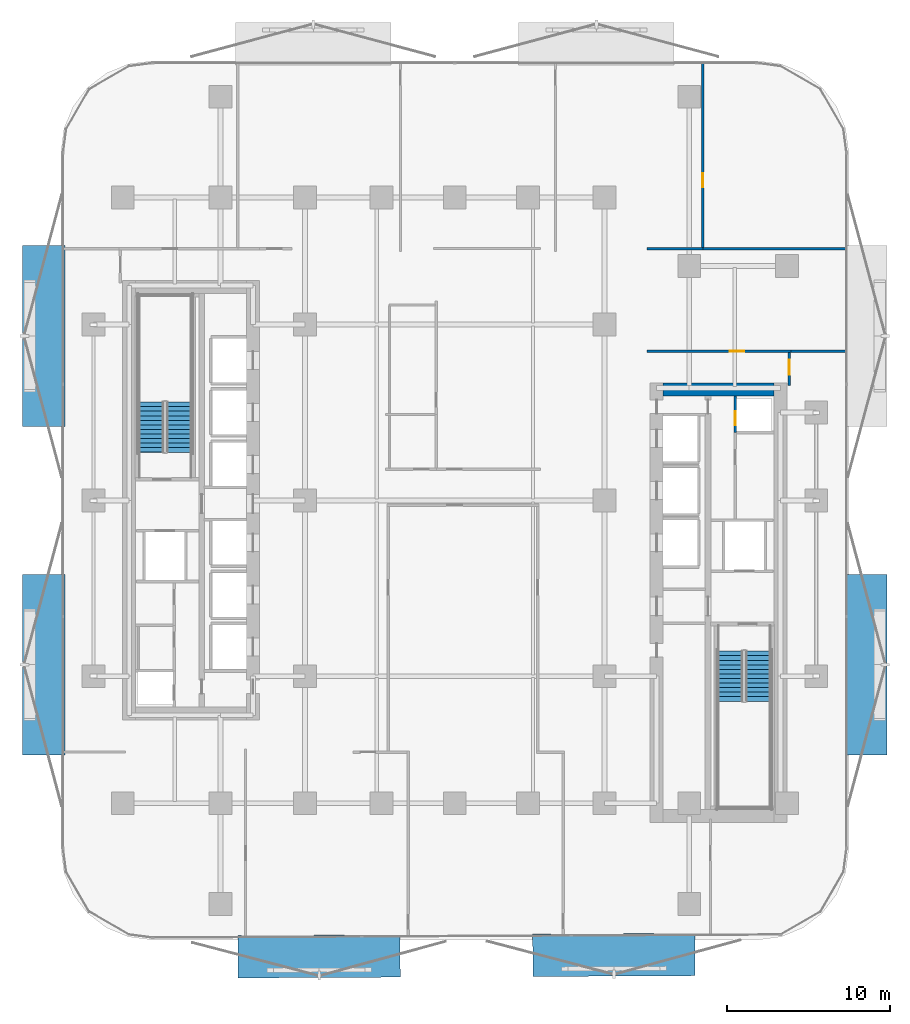
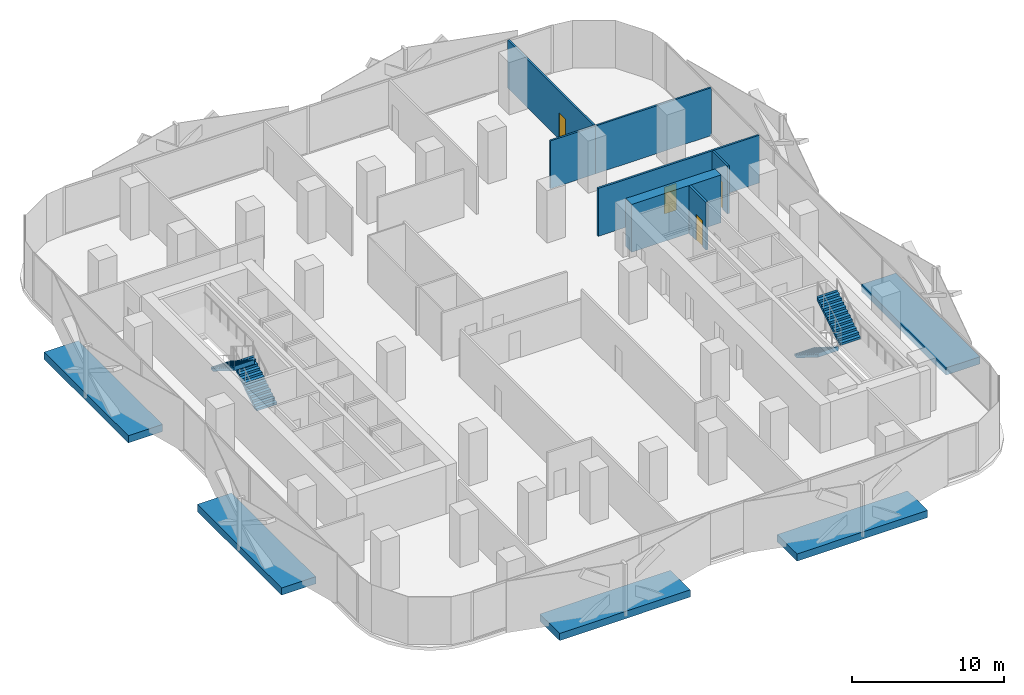
# One storey, part 6 of 16: 8 walls, 5 discrete accessories, 4 doors, 4 stair flights, 4 openings, 2 elements without a shape of their own.
"""IFC4 building model written with IfcOpenShell, lengths in metres."""

from ifc_helpers import new_model, si_unit, direction, frame, frame_2d, origin, origin_2d, place, context, subcontext, project, spatial, polyline, rectangle, outline, extrude, material, layer, layer_set, type_object, element, fill, aggregate, save


model = new_model("IFC4")

# Units and contexts
model_context = context("Model", 3, precision=1e-05, world=origin(), true_north=direction((0.0, 1.0)))
body_context = subcontext(model_context, "Body", "Model", "MODEL_VIEW")
ifc_project = project(units=[si_unit("LENGTHUNIT", "METRE"), si_unit("AREAUNIT", "SQUARE_METRE"), si_unit("VOLUMEUNIT", "CUBIC_METRE"), si_unit("PLANEANGLEUNIT", "RADIAN"), si_unit("MASSUNIT", "GRAM", prefix="KILO")], contexts=[model_context])

# Site, building, storey
site_placement = place(None, origin())
site = spatial("IfcSite", under=ifc_project, at=site_placement, CompositionType="ELEMENT")
building_placement = place(site_placement, origin())
building = spatial("IfcBuilding", under=site, at=building_placement, Name="Khairoan Windgate Tower", CompositionType="ELEMENT")
storey_placement = place(building_placement, frame((0.0, 0.0, 80.60009765625)))
storey = spatial("IfcBuildingStorey", under=building, at=storey_placement, Name="L19", CompositionType="ELEMENT", Elevation=80.60009765625)

# Walls
ifc_material_1 = material(Name="Acoustic Fire-Rated Gypsum Partition", Category="gypsum")
ifc_layer_1 = layer(ifc_material_1, 0.139892578125, Name="Acoustic Fire-Rated Gypsum Partition")
ifc_layer_set_1 = layer_set([ifc_layer_1], Name="Acoustic Fire-Rated Gypsum Partition")
wall_type_1 = type_object("IfcWallType", Name="Inter-Tenancy Compartment Wall", PredefinedType="PARTITIONING", material=ifc_layer_set_1)
wall_1_placement = place(storey_placement, frame((20.639892578125, 9.159912109375, 0.0), z_axis=(0.0, 0.0, 1.0), x_axis=(1.0, 0.0, 0.0)))
element("IfcWall", 1, at=wall_1_placement, inside=storey, type_object=wall_type_1, Name="L19 Interior Partition 024", PredefinedType="PARTITIONING", context=body_context, shape_type="SweptSolid", body=[
    extrude(rectangle(XDim=3.4150390625, YDim=0.139892578125, at=frame_2d((1.70751953125, 0.0))), origin(), (0.0, 0.0, 1.0), 3.849853515625),
])
wall_2_placement = place(storey_placement, frame((11.81005859375, 15.4599609375, 0.0), z_axis=(0.0, 0.0, 1.0), x_axis=(1.0, 0.0, 0.0)))
element("IfcWall", 2, at=wall_2_placement, inside=storey, type_object=wall_type_1, Name="L19 Interior Partition 025", PredefinedType="PARTITIONING", context=body_context, shape_type="SweptSolid", body=[
    extrude(rectangle(XDim=3.421875, YDim=0.139892578125, at=frame_2d((1.7109375, 0.0))), origin(), (0.0, 0.0, 1.0), 3.849853515625),
])
wall_3_placement = place(storey_placement, frame((15.23193359375, 15.4599609375, 0.0), z_axis=(0.0, 0.0, 1.0), x_axis=(1.0, 0.0, 0.0)))
element("IfcWall", 3, at=wall_3_placement, inside=storey, type_object=wall_type_1, Name="L19 Interior Partition 026", PredefinedType="PARTITIONING", context=body_context, shape_type="SweptSolid", body=[
    extrude(rectangle(XDim=8.822998046875, YDim=0.139892578125, at=frame_2d((4.41162109375, 0.0))), origin(), (0.0, 0.0, 1.0), 3.849853515625),
])

# Wall, opening, door
wall_4_placement = place(storey_placement, frame((15.23193359375, 15.530029296875, 0.0), z_axis=(0.0, 0.0, 1.0), x_axis=(0.0, 1.0, 0.0)))
wall_4 = element("IfcWall", 4, at=wall_4_placement, inside=storey, type_object=wall_type_1, Name="L19 Interior Partition 031", PredefinedType="PARTITIONING", context=body_context, shape_type="SweptSolid", body=[
    extrude(rectangle(XDim=11.324951171875, YDim=0.139892578125, at=frame_2d((5.66259765625, 0.0))), origin(), (0.0, 0.0, 1.0), 3.849853515625),
])
opening_1_placement = place(wall_4_placement, frame((3.712890625, 0.0, 0.0)))
opening_1 = element("IfcOpeningElement", 5, at=opening_1_placement, cuts=wall_4, Name="Opening FD-SRV", PredefinedType="OPENING", context=body_context, shape_type="SweptSolid", body=[
    extrude(rectangle(XDim=0.85009765625, YDim=2.10009765625, at=frame_2d((0.425048828125, 1.050048828125))), frame((0.0, 0.079833984375, 0.0), z_axis=(0.0, -1.0, 0.0), x_axis=(1.0, 0.0, 0.0)), (0.0, 0.0, 1.0), 0.159912109375),
])
ifc_material_2 = material(Name="Steel S355", Category="steel")
door_type_1 = type_object("IfcDoorType", Name="Core Service and Riser Fire Door FD-SRV 850x2100", OperationType="NOTDEFINED", PredefinedType="DOOR", material=ifc_material_2)
door_1_placement = place(opening_1_placement, origin())
door_1 = element("IfcDoor", 6, at=door_1_placement, inside=storey, type_object=door_type_1, Name="L19 L19-41-L19-42 Door", OperationType="SINGLE_SWING_RIGHT", OverallHeight=2.10009765625, OverallWidth=0.85009765625, PredefinedType="DOOR", context=body_context, shape_type="SweptSolid", body=[
    extrude(rectangle(XDim=0.85009765625, YDim=2.10009765625, at=frame_2d((0.425048828125, 1.050048828125))), frame((0.0, 0.02490234375, 0.0), z_axis=(0.0, -1.0, 0.0), x_axis=(1.0, 0.0, 0.0)), (0.0, 0.0, 1.0), 0.050048828125),
])
fill(opening_1, door_1)

ifc_material_3 = material(Name="Concrete C40/50", Category="concrete")
ifc_layer_2 = layer(ifc_material_3, 0.159912109375, Name="Concrete C40/50")
ifc_layer_set_2 = layer_set([ifc_layer_2], Name="Concrete C40/50")
wall_type_2 = type_object("IfcWallType", Name="Plant and Refuge Compartment Wall", PredefinedType="PARTITIONING", material=ifc_layer_set_2)
wall_5_placement = place(storey_placement, frame((17.22998046875, 4.169921875, 0.0), z_axis=(0.0, 0.0, 1.0), x_axis=(0.0, 1.0, 0.0)))
wall_5 = element("IfcWall", 7, at=wall_5_placement, inside=storey, type_object=wall_type_2, Name="L19 Interior Partition 006", PredefinedType="PARTITIONING", context=body_context, shape_type="SweptSolid", body=[
    extrude(rectangle(XDim=2.22998046875, YDim=0.159912109375, at=frame_2d((1.114990234375, 0.0))), origin(), (0.0, 0.0, 1.0), 3.849853515625),
])
opening_2_placement = place(wall_5_placement, frame((0.4599609375, 0.0, 0.0)))
opening_2 = element("IfcOpeningElement", 8, at=opening_2_placement, cuts=wall_5, Name="Opening FD-SRV", PredefinedType="OPENING", context=body_context, shape_type="SweptSolid", body=[
    extrude(rectangle(XDim=0.85009765625, YDim=2.10009765625, at=frame_2d((0.425048828125, 1.050048828125))), frame((0.0, 0.08984375, 0.0), z_axis=(0.0, -1.0, 0.0), x_axis=(1.0, 0.0, 0.0)), (0.0, 0.0, 1.0), 0.179931640625),
])
door_2_placement = place(opening_2_placement, origin())
door_2 = element("IfcDoor", 9, at=door_2_placement, inside=storey, type_object=door_type_1, Name="L19 L19-19-L19-20 Door", OperationType="SINGLE_SWING_LEFT", OverallHeight=2.10009765625, OverallWidth=0.85009765625, PredefinedType="DOOR", context=body_context, shape_type="SweptSolid", body=[
    extrude(rectangle(XDim=0.85009765625, YDim=2.10009765625, at=frame_2d((0.425048828125, 1.050048828125))), frame((0.0, 0.02490234375, 0.0), z_axis=(0.0, -1.0, 0.0), x_axis=(1.0, 0.0, 0.0)), (0.0, 0.0, 1.0), 0.050048828125),
])
fill(opening_2, door_2)

ifc_material_4 = material(Name="Acoustic Fire-Rated Gypsum Partition", Category="gypsum")
ifc_layer_3 = layer(ifc_material_4, 0.14990234375, Name="Acoustic Fire-Rated Gypsum Partition")
ifc_layer_set_3 = layer_set([ifc_layer_3], Name="Acoustic Fire-Rated Gypsum Partition")
wall_type_3 = type_object("IfcWallType", Name="Rated Corridor Partition Wall", PredefinedType="PARTITIONING", material=ifc_layer_set_3)
wall_6_placement = place(storey_placement, frame((20.5400390625, 7.06005859375, 0.0), z_axis=(0.0, 0.0, 1.0), x_axis=(0.0, 1.0, 0.0)))
wall_6 = element("IfcWall", 10, at=wall_6_placement, inside=storey, type_object=wall_type_3, Name="L19 Interior Partition 020", PredefinedType="PARTITIONING", context=body_context, shape_type="SweptSolid", body=[
    extrude(rectangle(XDim=2.02490234375, YDim=0.14990234375, at=frame_2d((1.012451171875, 0.0))), origin(), (0.0, 0.0, 1.0), 3.849853515625),
])
opening_3_placement = place(wall_6_placement, frame((0.6650390625, 0.0, 0.0)))
opening_3 = element("IfcOpeningElement", 11, at=opening_3_placement, cuts=wall_6, Name="Opening FD-ENT", PredefinedType="OPENING", context=body_context, shape_type="SweptSolid", body=[
    extrude(rectangle(XDim=0.89990234375, YDim=2.14990234375, at=frame_2d((0.449951171875, 1.074951171875))), frame((0.0, 0.0849609375, 0.0), z_axis=(0.0, -1.0, 0.0), x_axis=(1.0, 0.0, 0.0)), (0.0, 0.0, 1.0), 0.169921875),
])
ifc_material_5 = material(Name="Timber Fire-Rated Core", Category="wood")
door_type_2 = type_object("IfcDoorType", Name="Unit and Office Fire Entrance Door FD-ENT 900x2150", OperationType="NOTDEFINED", PredefinedType="DOOR", material=ifc_material_5)
door_3_placement = place(opening_3_placement, origin())
door_3 = element("IfcDoor", 12, at=door_3_placement, inside=storey, type_object=door_type_2, Name="L19 L19-34-L19-36 Door", OperationType="SINGLE_SWING_RIGHT", OverallHeight=2.14990234375, OverallWidth=0.89990234375, PredefinedType="DOOR", context=body_context, shape_type="SweptSolid", body=[
    extrude(rectangle(XDim=0.89990234375, YDim=2.14990234375, at=frame_2d((0.449951171875, 1.074951171875))), frame((0.0, 0.02490234375, 0.0), z_axis=(0.0, -1.0, 0.0), x_axis=(1.0, 0.0, 0.0)), (0.0, 0.0, 1.0), 0.050048828125),
])
fill(opening_3, door_3)

wall_7_placement = place(storey_placement, frame((11.81005859375, 9.159912109375, 0.0), z_axis=(0.0, 0.0, 1.0), x_axis=(1.0, 0.0, 0.0)))
wall_7 = element("IfcWall", 13, at=wall_7_placement, inside=storey, type_object=wall_type_3, Name="L19 Interior Partition 021", PredefinedType="PARTITIONING", context=body_context, shape_type="SweptSolid", body=[
    extrude(rectangle(XDim=8.829833984375, YDim=0.14990234375, at=frame_2d((4.4150390625, 0.0))), origin(), (0.0, 0.0, 1.0), 3.849853515625),
])
opening_4_placement = place(wall_7_placement, frame((5.066650390625, 0.0, 0.0)))
opening_4 = element("IfcOpeningElement", 14, at=opening_4_placement, cuts=wall_7, Name="Opening FD-ENT", PredefinedType="OPENING", context=body_context, shape_type="SweptSolid", body=[
    extrude(rectangle(XDim=0.89990234375, YDim=2.14990234375, at=frame_2d((0.449951171875, 1.074951171875))), frame((0.0, 0.0849609375, 0.0), z_axis=(0.0, -1.0, 0.0), x_axis=(1.0, 0.0, 0.0)), (0.0, 0.0, 1.0), 0.169921875),
])
door_4_placement = place(opening_4_placement, origin())
door_4 = element("IfcDoor", 15, at=door_4_placement, inside=storey, type_object=door_type_2, Name="L19 L19-34-L19-37 Door", OperationType="SINGLE_SWING_LEFT", OverallHeight=2.14990234375, OverallWidth=0.89990234375, PredefinedType="DOOR", context=body_context, shape_type="SweptSolid", body=[
    extrude(rectangle(XDim=0.89990234375, YDim=2.14990234375, at=frame_2d((0.449951171875, 1.074951171875))), frame((0.0, 0.02490234375, 0.0), z_axis=(0.0, -1.0, 0.0), x_axis=(1.0, 0.0, 0.0)), (0.0, 0.0, 1.0), 0.050048828125),
])
fill(opening_4, door_4)

# Wall
ifc_material_6 = material(Name="Concrete C70/85", Category="concrete")
ifc_layer_4 = layer(ifc_material_6, 0.800048828125, Name="Concrete C70/85")
ifc_layer_set_4 = layer_set([ifc_layer_4], Name="Concrete C70/85")
wall_type_4 = type_object("IfcWallType", Name="Shear Wall CW-E1 800mm", PredefinedType="SHEAR", material=ifc_layer_set_4)
wall_8_placement = place(storey_placement, frame((12.800048828125, 6.800048828125, 0.0), z_axis=(0.0, 0.0, 1.0), x_axis=(1.0, 0.0, 0.0)))
element("IfcWall", 16, at=wall_8_placement, inside=storey, type_object=wall_type_4, Name="E Core North Shear Wall L19", PredefinedType="SHEAR", context=body_context, shape_type="SweptSolid", body=[
    extrude(rectangle(XDim=6.800048828125, YDim=0.800048828125, at=frame_2d((3.39990234375, 0.0))), origin(), (0.0, 0.0, 1.0), 3.849853515625),
])

# Stair, stair flights
ifc_material_7 = material(Name="Concrete C40/50", Category="concrete")
stair_type = type_object("IfcStairType", Name="Tower Core Dog-Leg Stair ST-T1 1560mm", PredefinedType="HALF_TURN_STAIR", material=ifc_material_7)
stair_1_placement = place(storey_placement, origin())
stair_1 = element("IfcStair", 17, at=stair_1_placement, inside=storey, type_object=stair_type, Name="L19 Stair ST1", PredefinedType="HALF_TURN_STAIR")
ifc_material_8 = material(Name="Concrete C40/50", Category="concrete")
ifc_layer_5 = layer(ifc_material_8, 0.14990234375, Name="Concrete C40/50")
ifc_layer_set_5 = layer_set([ifc_layer_5], Name="Concrete C40/50")
stair_flight_type = type_object("IfcStairFlightType", Name="Tower Core Stair Flight STF-1560", PredefinedType="STRAIGHT", material=ifc_layer_set_5)
stair_flight_1_placement = place(storey_placement, frame((16.929931640625, -9.260009765625, 0.0), z_axis=(0.0, 0.0, 1.0), x_axis=(0.0, -1.0, 0.0)))
stair_flight_1 = element("IfcStairFlight", 18, at=stair_flight_1_placement, type_object=stair_flight_type, Name="ST1 flight 1", NumberOfRisers=12, NumberOfTreads=11, PredefinedType="STRAIGHT", RiserHeight=0.175, TreadLength=0.28, context=body_context, shape_type="SweptSolid", body=[
    extrude(outline(polyline([(-0.00390625, 0.0), (-0.00390625, 0.175048828125), (0.0, 0.175048828125), (0.280029296875, 0.175048828125), (0.280029296875, 0.35009765625), (0.56005859375, 0.35009765625), (0.56005859375, 0.52490234375), (0.840087890625, 0.52490234375), (0.840087890625, 0.699951171875), (1.1201171875, 0.699951171875), (1.1201171875, 0.875), (1.39990234375, 0.875), (1.39990234375, 1.050048828125), (1.679931640625, 1.050048828125), (1.679931640625, 1.22509765625), (1.9599609375, 1.22509765625), (1.9599609375, 1.39990234375), (2.239990234375, 1.39990234375), (2.239990234375, 1.574951171875), (2.52001953125, 1.574951171875), (2.52001953125, 1.75), (2.800048828125, 1.75), (2.800048828125, 1.925048828125), (3.080078125, 1.925048828125), (3.080078125, 2.10009765625), (3.083984375, 2.10009765625), (3.083984375, 1.748291015625), (0.28271484375, 0.0), (-0.00390625, 0.0)])), frame((0.0, 0.780029296875, 0.0), z_axis=(0.0, -1.0, 0.0), x_axis=(1.0, 0.0, 0.0)), (0.0, 0.0, 1.0), 1.56005859375),
])
stair_flight_2_placement = place(storey_placement, frame((18.639892578125, -12.340087890625, 2.099853515625), z_axis=(0.0, 0.0, 1.0), x_axis=(0.0, 1.0, 0.0)))
stair_flight_2 = element("IfcStairFlight", 19, at=stair_flight_2_placement, type_object=stair_flight_type, Name="ST1 flight 2", NumberOfRisers=12, NumberOfTreads=11, PredefinedType="STRAIGHT", RiserHeight=0.175, TreadLength=0.28, context=body_context, shape_type="SweptSolid", body=[
    extrude(outline(polyline([(-0.00390625, 0.0), (-0.00390625, 0.175048828125), (0.0, 0.175048828125), (0.280029296875, 0.175048828125), (0.280029296875, 0.35009765625), (0.56005859375, 0.35009765625), (0.56005859375, 0.52490234375), (0.840087890625, 0.52490234375), (0.840087890625, 0.699951171875), (1.1201171875, 0.699951171875), (1.1201171875, 0.875), (1.39990234375, 0.875), (1.39990234375, 1.050048828125), (1.679931640625, 1.050048828125), (1.679931640625, 1.22509765625), (1.9599609375, 1.22509765625), (1.9599609375, 1.39990234375), (2.239990234375, 1.39990234375), (2.239990234375, 1.574951171875), (2.52001953125, 1.574951171875), (2.52001953125, 1.75), (2.800048828125, 1.75), (2.800048828125, 1.925048828125), (3.080078125, 1.925048828125), (3.080078125, 2.10009765625), (3.083984375, 2.10009765625), (3.083984375, 1.748291015625), (0.28271484375, 0.0), (-0.00390625, 0.0)])), frame((0.0, 0.780029296875, 0.0), z_axis=(0.0, -1.0, 0.0), x_axis=(1.0, 0.0, 0.0)), (0.0, 0.0, 1.0), 1.56005859375),
])
aggregate(stair_1, [stair_flight_1, stair_flight_2])

stair_2_placement = place(storey_placement, origin())
stair_2 = element("IfcStair", 20, at=stair_2_placement, inside=storey, type_object=stair_type, Name="L19 Stair ST2", PredefinedType="HALF_TURN_STAIR")
stair_flight_3_placement = place(storey_placement, frame((-16.929931640625, 2.9599609375, 0.0), z_axis=(0.0, 0.0, 1.0), x_axis=(0.0, 1.0, 0.0)))
stair_flight_3 = element("IfcStairFlight", 21, at=stair_flight_3_placement, type_object=stair_flight_type, Name="ST2 flight 1", NumberOfRisers=12, NumberOfTreads=11, PredefinedType="STRAIGHT", RiserHeight=0.175, TreadLength=0.28, context=body_context, shape_type="SweptSolid", body=[
    extrude(outline(polyline([(-0.00390625, 0.0), (-0.00390625, 0.175048828125), (0.0, 0.175048828125), (0.280029296875, 0.175048828125), (0.280029296875, 0.35009765625), (0.56005859375, 0.35009765625), (0.56005859375, 0.52490234375), (0.840087890625, 0.52490234375), (0.840087890625, 0.699951171875), (1.1201171875, 0.699951171875), (1.1201171875, 0.875), (1.39990234375, 0.875), (1.39990234375, 1.050048828125), (1.679931640625, 1.050048828125), (1.679931640625, 1.22509765625), (1.9599609375, 1.22509765625), (1.9599609375, 1.39990234375), (2.239990234375, 1.39990234375), (2.239990234375, 1.574951171875), (2.52001953125, 1.574951171875), (2.52001953125, 1.75), (2.800048828125, 1.75), (2.800048828125, 1.925048828125), (3.080078125, 1.925048828125), (3.080078125, 2.10009765625), (3.083984375, 2.10009765625), (3.083984375, 1.748291015625), (0.28271484375, 0.0), (-0.00390625, 0.0)])), frame((0.0, 0.780029296875, 0.0), z_axis=(0.0, -1.0, 0.0), x_axis=(1.0, 0.0, 0.0)), (0.0, 0.0, 1.0), 1.56005859375),
])
stair_flight_4_placement = place(storey_placement, frame((-18.639892578125, 6.0400390625, 2.099853515625), z_axis=(0.0, 0.0, 1.0), x_axis=(0.0, -1.0, 0.0)))
stair_flight_4 = element("IfcStairFlight", 22, at=stair_flight_4_placement, type_object=stair_flight_type, Name="ST2 flight 2", NumberOfRisers=12, NumberOfTreads=11, PredefinedType="STRAIGHT", RiserHeight=0.175, TreadLength=0.28, context=body_context, shape_type="SweptSolid", body=[
    extrude(outline(polyline([(-0.00390625, 0.0), (-0.00390625, 0.175048828125), (0.0, 0.175048828125), (0.280029296875, 0.175048828125), (0.280029296875, 0.35009765625), (0.56005859375, 0.35009765625), (0.56005859375, 0.52490234375), (0.840087890625, 0.52490234375), (0.840087890625, 0.699951171875), (1.1201171875, 0.699951171875), (1.1201171875, 0.875), (1.39990234375, 0.875), (1.39990234375, 1.050048828125), (1.679931640625, 1.050048828125), (1.679931640625, 1.22509765625), (1.9599609375, 1.22509765625), (1.9599609375, 1.39990234375), (2.239990234375, 1.39990234375), (2.239990234375, 1.574951171875), (2.52001953125, 1.574951171875), (2.52001953125, 1.75), (2.800048828125, 1.75), (2.800048828125, 1.925048828125), (3.080078125, 1.925048828125), (3.080078125, 2.10009765625), (3.083984375, 2.10009765625), (3.083984375, 1.748291015625), (0.28271484375, 0.0), (-0.00390625, 0.0)])), frame((0.0, 0.780029296875, 0.0), z_axis=(0.0, -1.0, 0.0), x_axis=(1.0, 0.0, 0.0)), (0.0, 0.0, 1.0), 1.56005859375),
])
aggregate(stair_2, [stair_flight_3, stair_flight_4])

# Discrete accessories
ifc_material_9 = material(Name="Steel S355", Category="steel")
discrete_accessory_type = type_object("IfcDiscreteAccessoryType", Name="Solar Screen Outrigger Slab Bracket SSB-1", PredefinedType="BRACKET", material=ifc_material_9)
for number, where, z_axis, x_axis, name in (
    (23, (9.767822265625, -27.922607421875, -0.420166015625), (0.0, 0.0, 1.0), (-0.999988059021, -0.004886902454, 0.0), "L19 Solar Screen Outrigger Bracket 105"),
    (24, (-8.333984375, -28.01025390625, -0.420166015625), (0.0, 0.0, 1.0), (-0.999988059021, -0.004886902454, 0.0), "L19 Solar Screen Outrigger Bracket 106"),
):
    element("IfcDiscreteAccessory", number, at=place(storey_placement, frame(where, z_axis=z_axis, x_axis=x_axis)), inside=storey, type_object=discrete_accessory_type, Name=name, PredefinedType="BRACKET", context=body_context, shape_type="SweptSolid", body=[
        extrude(rectangle(XDim=9.9560546875, YDim=2.60009765625, at=origin_2d()), origin(), (0.0, 0.0, 1.0), 0.580078125),
    ])
for number, where, z_axis, x_axis, name in (
    (25, (-25.260009765625, -10.095458984375, -0.420166015625), (0.0, 0.0, 1.0), (0.0, 1.0, 0.0), "L19 Solar Screen Outrigger Bracket 107"),
    (26, (-25.260009765625, 10.095458984375, -0.420166015625), (0.0, 0.0, 1.0), (0.0, 1.0, 0.0), "L19 Solar Screen Outrigger Bracket 108"),
    (27, (25.260009765625, -10.095458984375, -0.420166015625), (0.0, 0.0, 1.0), (0.0, -1.0, 0.0), "L19 Solar Screen Outrigger Bracket 112"),
):
    element("IfcDiscreteAccessory", number, at=place(storey_placement, frame(where, z_axis=z_axis, x_axis=x_axis)), inside=storey, type_object=discrete_accessory_type, Name=name, PredefinedType="BRACKET", context=body_context, shape_type="SweptSolid", body=[
        extrude(rectangle(XDim=11.10498046875, YDim=2.60009765625, at=origin_2d()), origin(), (0.0, 0.0, 1.0), 0.580078125),
    ])

save(model, "model.ifc")
